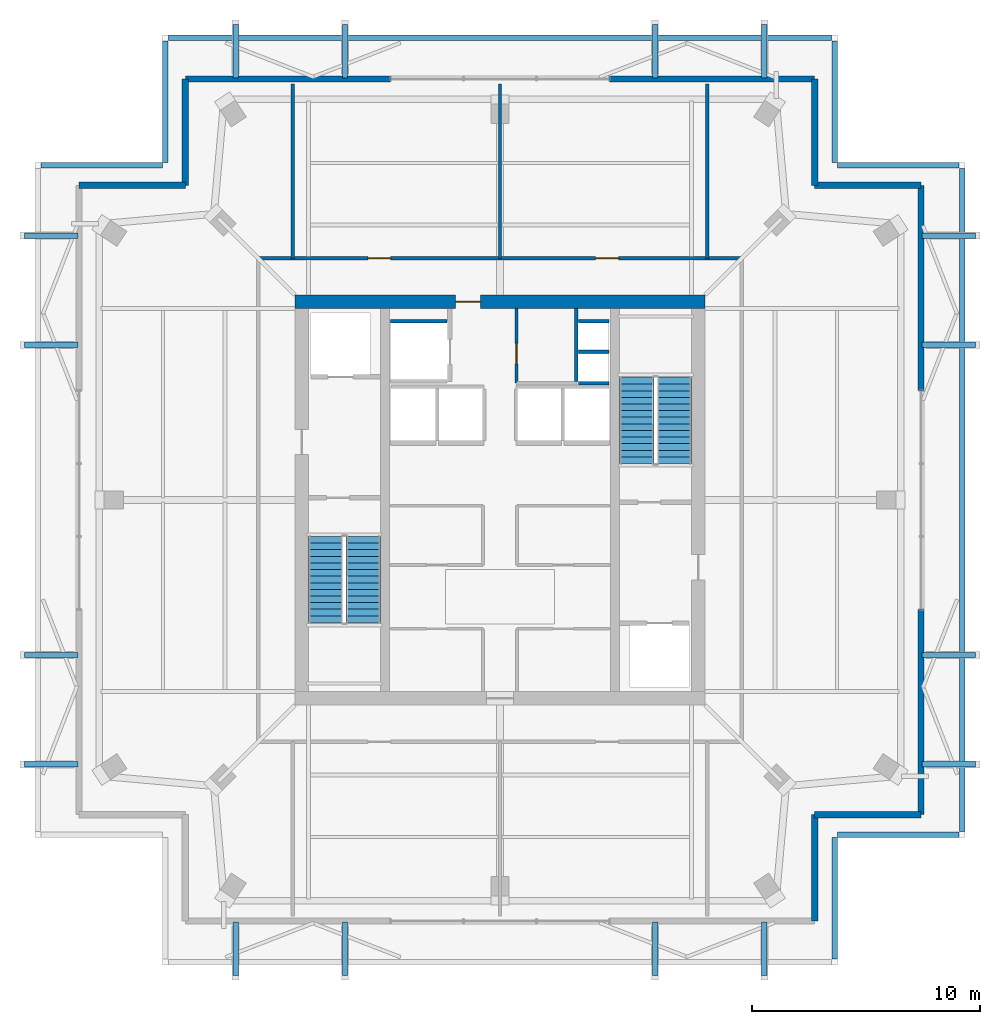
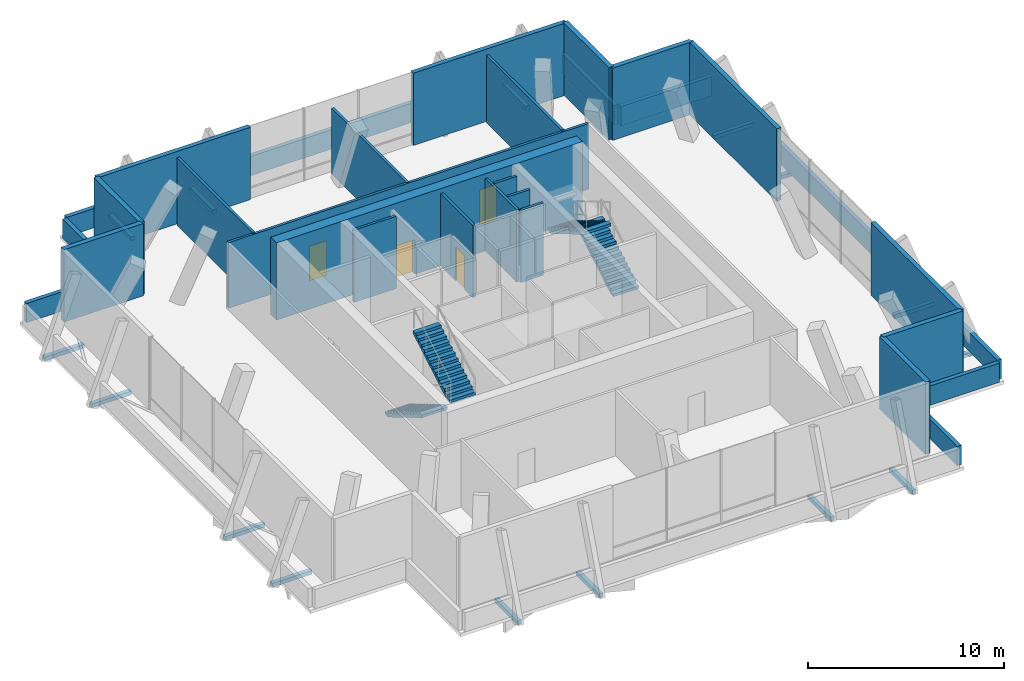
# One storey, part 17 of 18: 29 walls, 16 discrete accessories, 4 doors, 4 stair flights, 4 openings, 2 elements without a shape of their own.
"""IFC4 building model written with IfcOpenShell, lengths in metres."""

from ifc_helpers import new_model, si_unit, direction, frame, frame_2d, origin, origin_2d, place, context, subcontext, project, spatial, polyline, rectangle, outline, extrude, material, layer, layer_set, type_object, element, fill, aggregate, save


model = new_model("IFC4")

# Units and contexts
model_context = context("Model", 3, precision=1e-05, world=origin(), true_north=direction((0.0, 1.0)))
body_context = subcontext(model_context, "Body", "Model", "MODEL_VIEW")
ifc_project = project(units=[si_unit("LENGTHUNIT", "METRE"), si_unit("AREAUNIT", "SQUARE_METRE"), si_unit("VOLUMEUNIT", "CUBIC_METRE"), si_unit("PLANEANGLEUNIT", "RADIAN"), si_unit("MASSUNIT", "GRAM", prefix="KILO")], contexts=[model_context])

# Site, building, storey
site_placement = place(None, origin())
site = spatial("IfcSite", under=ifc_project, at=site_placement, CompositionType="ELEMENT")
building_placement = place(site_placement, origin())
building = spatial("IfcBuilding", under=site, at=building_placement, Name="Belovzor Exchange Tower", CompositionType="ELEMENT")
storey_placement = place(building_placement, frame((0.0, 0.0, 369.0)))
storey = spatial("IfcBuildingStorey", under=building, at=storey_placement, Name="L92", CompositionType="ELEMENT", Elevation=369.0)

# Wall, opening, door
ifc_material_1 = material(Name="Fire-Rated Gypsum Block and Mineral Wool", Category="gypsum")
ifc_layer_1 = layer(ifc_material_1, 0.14990234375)
ifc_layer_set_1 = layer_set([ifc_layer_1], Name="Fire-Rated Gypsum Block and Mineral Wool")
wall_type_1 = type_object("IfcWallType", Name="Fire-Rated Gypsum Block Corridor Wall 150", PredefinedType="PARTITIONING", material=ifc_layer_set_1)
wall_1_placement = place(storey_placement, frame((29.52490234375, 33.925048828125, 0.0), z_axis=(0.0, 0.0, 1.0), x_axis=(0.0, 1.0, 0.0)))
wall_1 = element("IfcWall", 1, at=wall_1_placement, inside=storey, type_object=wall_type_1, Name="W-P150 Partition Wall W-CRV-L92-W", PredefinedType="PARTITIONING", context=body_context, shape_type="SweptSolid", body=[
    extrude(rectangle(XDim=3.27490234375, YDim=0.14990234375, at=frame_2d((1.637451171875, 0.0))), origin(), (0.0, 0.0, 1.0), 4.5),
])
opening_1_placement = place(wall_1_placement, frame((0.85009765625, 0.0, 0.0)))
opening_1 = element("IfcOpeningElement", 2, at=opening_1_placement, cuts=wall_1, Name="Opening D-FD60-090", PredefinedType="OPENING", context=body_context, shape_type="SweptSolid", body=[
    extrude(rectangle(XDim=0.89990234375, YDim=2.10009765625, at=frame_2d((0.449951171875, 1.050048828125))), frame((0.0, 0.0849609375, 0.0), z_axis=(0.0, -1.0, 0.0), x_axis=(1.0, 0.0, 0.0)), (0.0, 0.0, 1.0), 0.169921875),
])
ifc_material_2 = material(Name="Acoustic Timber Fire Leaf", Category="wood")
door_type_1 = type_object("IfcDoorType", Name="Core Service & Restroom Fire Door 900x2100", OperationType="NOTDEFINED", PredefinedType="DOOR", material=ifc_material_2)
door_1_placement = place(opening_1_placement, origin())
door_1 = element("IfcDoor", 3, at=door_1_placement, inside=storey, type_object=door_type_1, Name="D-FD60-090 Core Service & Restroom Fire Door 900x2100", OperationType="SINGLE_SWING_LEFT", OverallHeight=2.10009765625, OverallWidth=0.89990234375, PredefinedType="DOOR", context=body_context, shape_type="SweptSolid", body=[
    extrude(rectangle(XDim=0.89990234375, YDim=2.10009765625, at=frame_2d((0.449951171875, 1.050048828125))), frame((0.0, 0.02490234375, 0.0), z_axis=(0.0, -1.0, 0.0), x_axis=(1.0, 0.0, 0.0)), (0.0, 0.0, 1.0), 0.050048828125),
])
fill(opening_1, door_1)

# Wall, openings, doors
wall_2_placement = place(storey_placement, frame((18.199951171875, 39.39990234375, 0.0), z_axis=(0.0, 0.0, 1.0), x_axis=(1.0, 0.0, 0.0)))
wall_2 = element("IfcWall", 4, at=wall_2_placement, inside=storey, type_object=wall_type_1, Name="W-P150 Partition Wall W-L92-PCN", PredefinedType="PARTITIONING", context=body_context, shape_type="SweptSolid", body=[
    extrude(rectangle(XDim=21.199951171875, YDim=0.14990234375, at=frame_2d((10.60009765625, 0.0))), origin(), (0.0, 0.0, 1.0), 4.0849609375),
])
opening_2_placement = place(wall_2_placement, frame((4.800048828125, 0.0, 0.0)))
opening_2 = element("IfcOpeningElement", 5, at=opening_2_placement, cuts=wall_2, Name="Opening D-FD90-105", PredefinedType="OPENING", context=body_context, shape_type="SweptSolid", body=[
    extrude(rectangle(XDim=1.0, YDim=2.14990234375, at=frame_2d((0.5, 1.074951171875))), frame((0.0, 0.0849609375, 0.0), z_axis=(0.0, -1.0, 0.0), x_axis=(1.0, 0.0, 0.0)), (0.0, 0.0, 1.0), 0.169921875),
])
opening_3_placement = place(wall_2_placement, frame((14.800048828125, 0.0, 0.0)))
opening_3 = element("IfcOpeningElement", 6, at=opening_3_placement, cuts=wall_2, Name="Opening D-FD90-105", PredefinedType="OPENING", context=body_context, shape_type="SweptSolid", body=[
    extrude(rectangle(XDim=1.0, YDim=2.14990234375, at=frame_2d((0.5, 1.074951171875))), frame((0.0, 0.0849609375, 0.0), z_axis=(0.0, -1.0, 0.0), x_axis=(1.0, 0.0, 0.0)), (0.0, 0.0, 1.0), 0.169921875),
])
ifc_material_3 = material(Name="Fire-Rated Galvanised Steel Leaf", Category="steel")
door_type_2 = type_object("IfcDoorType", Name="Core North Foyer Fire Door 1000x2150", OperationType="NOTDEFINED", PredefinedType="DOOR", material=ifc_material_3)
door_2_placement = place(opening_2_placement, origin())
door_2 = element("IfcDoor", 7, at=door_2_placement, inside=storey, type_object=door_type_2, Name="D-FD90-105 Core North Foyer Fire Door 1000x2150", OperationType="SINGLE_SWING_LEFT", OverallHeight=2.14990234375, OverallWidth=1.0, PredefinedType="DOOR", context=body_context, shape_type="SweptSolid", body=[
    extrude(rectangle(XDim=1.0, YDim=2.14990234375, at=frame_2d((0.5, 1.074951171875))), frame((0.0, 0.02490234375, 0.0), z_axis=(0.0, -1.0, 0.0), x_axis=(1.0, 0.0, 0.0)), (0.0, 0.0, 1.0), 0.050048828125),
])
fill(opening_2, door_2)
door_3_placement = place(opening_3_placement, origin())
door_3 = element("IfcDoor", 8, at=door_3_placement, inside=storey, type_object=door_type_2, Name="D-FD90-105 Core North Foyer Fire Door 1000x2150", OperationType="SINGLE_SWING_RIGHT", OverallHeight=2.14990234375, OverallWidth=1.0, PredefinedType="DOOR", context=body_context, shape_type="SweptSolid", body=[
    extrude(rectangle(XDim=1.0, YDim=2.14990234375, at=frame_2d((0.5, 1.074951171875))), frame((0.0, 0.02490234375, 0.0), z_axis=(0.0, -1.0, 0.0), x_axis=(1.0, 0.0, 0.0)), (0.0, 0.0, 1.0), 0.050048828125),
])
fill(opening_3, door_3)

# Walls
wall_3_placement = place(storey_placement, frame((19.699951171875, 39.39990234375, 0.0), z_axis=(0.0, 0.0, 1.0), x_axis=(0.0, 1.0, 0.0)))
element("IfcWall", 9, at=wall_3_placement, inside=storey, type_object=wall_type_1, Name="W-P150 Partition Wall W-L92-Q3W", PredefinedType="PARTITIONING", context=body_context, shape_type="SweptSolid", body=[
    extrude(rectangle(XDim=7.650146484375, YDim=0.14990234375, at=frame_2d((3.8251953125, 0.0))), origin(), (0.0, 0.0, 1.0), 4.18505859375),
])
wall_4_placement = place(storey_placement, frame((28.800048828125, 39.39990234375, 0.0), z_axis=(0.0, 0.0, 1.0), x_axis=(0.0, 1.0, 0.0)))
element("IfcWall", 10, at=wall_4_placement, inside=storey, type_object=wall_type_1, Name="W-P150 Partition Wall W-L92-Q3M", PredefinedType="PARTITIONING", context=body_context, shape_type="SweptSolid", body=[
    extrude(rectangle(XDim=7.650146484375, YDim=0.14990234375, at=frame_2d((3.8251953125, 0.0))), origin(), (0.0, 0.0, 1.0), 4.0849609375),
])
wall_5_placement = place(storey_placement, frame((37.89990234375, 39.39990234375, 0.0), z_axis=(0.0, 0.0, 1.0), x_axis=(0.0, 1.0, 0.0)))
element("IfcWall", 11, at=wall_5_placement, inside=storey, type_object=wall_type_1, Name="W-P150 Partition Wall W-L92-Q4E", PredefinedType="PARTITIONING", context=body_context, shape_type="SweptSolid", body=[
    extrude(rectangle(XDim=7.650146484375, YDim=0.14990234375, at=frame_2d((3.8251953125, 0.0))), origin(), (0.0, 0.0, 1.0), 4.18505859375),
])
ifc_material_4 = material(Name="Precast concrete C40/50", Category="concrete")
ifc_layer_2 = layer(ifc_material_4, 0.280029296875)
ifc_layer_set_2 = layer_set([ifc_layer_2], Name="Precast concrete C40/50")
wall_type_2 = type_object("IfcWallType", Name="Precast Concrete Notched Corner Frame Wall 280", PredefinedType="SOLIDWALL", material=ifc_layer_set_2)
for number, where, z_axis, x_axis, name in (
    (12, (10.330078125, 42.60009765625, 0.0), (0.0, 0.0, 1.0), (1.0, 0.0, 0.0), "W-CRN280 Precast Concrete Notched Corner Frame Wall 280 L92"),
    (13, (15.0, 42.60009765625, 0.0), (0.0, 0.0, 1.0), (0.0, 1.0, 0.0), "W-CRN280 Precast Concrete Notched Corner Frame Wall 280 L92"),
    (14, (42.60009765625, 47.27001953125, 0.0), (0.0, 0.0, 1.0), (0.0, -1.0, 0.0), "W-CRN280 Precast Concrete Notched Corner Frame Wall 280 L92"),
    (15, (42.60009765625, 42.60009765625, 0.0), (0.0, 0.0, 1.0), (1.0, 0.0, 0.0), "W-CRN280 Precast Concrete Notched Corner Frame Wall 280 L92"),
    (16, (47.27001953125, 15.0, 0.0), (0.0, 0.0, 1.0), (-1.0, 0.0, 0.0), "W-CRN280 Precast Concrete Notched Corner Frame Wall 280 L92"),
    (17, (42.60009765625, 15.0, 0.0), (0.0, 0.0, 1.0), (0.0, -1.0, 0.0), "W-CRN280 Precast Concrete Notched Corner Frame Wall 280 L92"),
):
    element("IfcWall", number, at=place(storey_placement, frame(where, z_axis=z_axis, x_axis=x_axis)), inside=storey, type_object=wall_type_2, Name=name, PredefinedType="SOLIDWALL", context=body_context, shape_type="SweptSolid", body=[
        extrude(rectangle(XDim=4.669921875, YDim=0.280029296875, at=frame_2d((2.3349609375, 0.0))), origin(), (0.0, 0.0, 1.0), 4.5),
    ])
ifc_material_5 = material(Name="Precast concrete C40/50", Category="concrete")
ifc_layer_3 = layer(ifc_material_5, 0.260009765625)
ifc_layer_set_3 = layer_set([ifc_layer_3], Name="Precast concrete C40/50")
wall_type_3 = type_object("IfcWallType", Name="Precast Concrete Perimeter Loggia Frame Wall 260", PredefinedType="SOLIDWALL", material=ifc_layer_set_3)
for number, where, z_axis, x_axis, name in (
    (18, (15.0, 47.27001953125, 0.0), (0.0, 0.0, 1.0), (1.0, 0.0, 0.0), "W-EXT260 Precast Concrete Perimeter Loggia Frame Wall 260 L92"),
    (19, (33.60009765625, 47.27001953125, 0.0), (0.0, 0.0, 1.0), (1.0, 0.0, 0.0), "W-EXT260 Precast Concrete Perimeter Loggia Frame Wall 260 L92"),
    (20, (47.27001953125, 42.60009765625, 0.0), (0.0, 0.0, 1.0), (0.0, -1.0, 0.0), "W-EXT260 Precast Concrete Perimeter Loggia Frame Wall 260 L92"),
    (21, (47.27001953125, 24.0, 0.0), (0.0, 0.0, 1.0), (0.0, -1.0, 0.0), "W-EXT260 Precast Concrete Perimeter Loggia Frame Wall 260 L92"),
):
    element("IfcWall", number, at=place(storey_placement, frame(where, z_axis=z_axis, x_axis=x_axis)), inside=storey, type_object=wall_type_3, Name=name, PredefinedType="SOLIDWALL", context=body_context, shape_type="SweptSolid", body=[
        extrude(rectangle(XDim=9.0, YDim=0.260009765625, at=frame_2d((4.5, 0.0))), origin(), (0.0, 0.0, 1.0), 4.5),
    ])
ifc_material_6 = material(Name="Precast concrete C40/50", Category="concrete")
ifc_layer_4 = layer(ifc_material_6, 0.239990234375)
ifc_layer_set_4 = layer_set([ifc_layer_4], Name="Precast concrete C40/50")
wall_type_4 = type_object("IfcWallType", Name="Precast Stone Setback Roof Parapet Wall 240", PredefinedType="PARAPET", material=ifc_layer_set_4)
for number, where, z_axis, x_axis, name in (
    (22, (43.47998046875, 8.655029296875, 0.0), (0.0, 0.0, 1.0), (0.0, 1.0, 0.0), "W-PAR240 Precast Stone Setback Roof Parapet Wall 240 L92"),
    (23, (43.614990234375, 14.1201171875, 0.0), (0.0, 0.0, 1.0), (1.0, 0.0, 0.0), "W-PAR240 Precast Stone Setback Roof Parapet Wall 240 L92"),
):
    element("IfcWall", number, at=place(storey_placement, frame(where, z_axis=z_axis, x_axis=x_axis)), inside=storey, type_object=wall_type_4, Name=name, PredefinedType="PARAPET", context=body_context, shape_type="SweptSolid", body=[
        extrude(rectangle(XDim=5.330078125, YDim=0.239990234375, at=frame_2d((2.6650390625, 0.0))), origin(), (0.0, 0.0, 1.0), 1.199951171875),
    ])
wall_6_placement = place(storey_placement, frame((49.080078125, 14.2548828125, 0.0), z_axis=(0.0, 0.0, 1.0), x_axis=(0.0, 1.0, 0.0)))
element("IfcWall", 24, at=wall_6_placement, inside=storey, type_object=wall_type_4, Name="W-PAR240 Precast Stone Setback Roof Parapet Wall 240 L92", PredefinedType="PARAPET", context=body_context, shape_type="SweptSolid", body=[
    extrude(rectangle(XDim=29.090087890625, YDim=0.239990234375, at=frame_2d((14.544921875, 0.0))), origin(), (0.0, 0.0, 1.0), 1.199951171875),
])
for number, where, z_axis, x_axis, name in (
    (25, (48.945068359375, 43.47998046875, 0.0), (0.0, 0.0, 1.0), (-1.0, 0.0, 0.0), "W-PAR240 Precast Stone Setback Roof Parapet Wall 240 L92"),
    (26, (43.47998046875, 43.614990234375, 0.0), (0.0, 0.0, 1.0), (0.0, 1.0, 0.0), "W-PAR240 Precast Stone Setback Roof Parapet Wall 240 L92"),
):
    element("IfcWall", number, at=place(storey_placement, frame(where, z_axis=z_axis, x_axis=x_axis)), inside=storey, type_object=wall_type_4, Name=name, PredefinedType="PARAPET", context=body_context, shape_type="SweptSolid", body=[
        extrude(rectangle(XDim=5.330078125, YDim=0.239990234375, at=frame_2d((2.6650390625, 0.0))), origin(), (0.0, 0.0, 1.0), 1.199951171875),
    ])
wall_7_placement = place(storey_placement, frame((43.344970703125, 49.080078125, 0.0), z_axis=(0.0, 0.0, 1.0), x_axis=(-1.0, 0.0, 0.0)))
element("IfcWall", 27, at=wall_7_placement, inside=storey, type_object=wall_type_4, Name="W-PAR240 Precast Stone Setback Roof Parapet Wall 240 L92", PredefinedType="PARAPET", context=body_context, shape_type="SweptSolid", body=[
    extrude(rectangle(XDim=29.090087890625, YDim=0.239990234375, at=frame_2d((14.544921875, 0.0))), origin(), (0.0, 0.0, 1.0), 1.199951171875),
])
for number, where, z_axis, x_axis, name in (
    (28, (14.1201171875, 48.945068359375, 0.0), (0.0, 0.0, 1.0), (0.0, -1.0, 0.0), "W-PAR240 Precast Stone Setback Roof Parapet Wall 240 L92"),
    (29, (13.985107421875, 43.47998046875, 0.0), (0.0, 0.0, 1.0), (-1.0, 0.0, 0.0), "W-PAR240 Precast Stone Setback Roof Parapet Wall 240 L92"),
):
    element("IfcWall", number, at=place(storey_placement, frame(where, z_axis=z_axis, x_axis=x_axis)), inside=storey, type_object=wall_type_4, Name=name, PredefinedType="PARAPET", context=body_context, shape_type="SweptSolid", body=[
        extrude(rectangle(XDim=5.330078125, YDim=0.239990234375, at=frame_2d((2.6650390625, 0.0))), origin(), (0.0, 0.0, 1.0), 1.199951171875),
    ])
ifc_material_7 = material(Name="Concrete C50/60", Category="concrete")
ifc_layer_5 = layer(ifc_material_7, 0.14990234375)
ifc_layer_set_5 = layer_set([ifc_layer_5], Name="Concrete C50/60")
wall_type_5 = type_object("IfcWallType", Name="Reinforced Concrete Core Riser Shear Wall 150", PredefinedType="SHEAR", material=ifc_layer_set_5)
wall_8_placement = place(storey_placement, frame((32.14990234375, 34.0, 0.0), z_axis=(0.0, 0.0, 1.0), x_axis=(0.0, 1.0, 0.0)))
element("IfcWall", 30, at=wall_8_placement, inside=storey, type_object=wall_type_5, Name="W-C150S Core Shaft Wall W-RSR-L92-E", PredefinedType="SHEAR", context=body_context, shape_type="SweptSolid", body=[
    extrude(rectangle(XDim=3.199951171875, YDim=0.14990234375, at=frame_2d((1.60009765625, 0.0))), origin(), (0.0, 0.0, 1.0), 4.5),
])
for number, where, z_axis, x_axis, name in (
    (31, (32.25, 33.925048828125, 0.0), (0.0, 0.0, 1.0), (1.0, 0.0, 0.0), "W-C150S Core Shaft Wall W-RSR-L92-S"),
    (32, (32.25, 35.300048828125, 0.0), (0.0, 0.0, 1.0), (1.0, 0.0, 0.0), "W-C150S Core Shaft Wall W-RSR-L92-M"),
):
    element("IfcWall", number, at=place(storey_placement, frame(where, z_axis=z_axis, x_axis=x_axis)), inside=storey, type_object=wall_type_5, Name=name, PredefinedType="SHEAR", context=body_context, shape_type="SweptSolid", body=[
        extrude(rectangle(XDim=1.330078125, YDim=0.14990234375, at=frame_2d((0.6650390625, 0.0))), origin(), (0.0, 0.0, 1.0), 4.5),
    ])
wall_9_placement = place(storey_placement, frame((24.0, 36.64990234375, 0.0), z_axis=(0.0, 0.0, 1.0), x_axis=(1.0, 0.0, 0.0)))
element("IfcWall", 33, at=wall_9_placement, inside=storey, type_object=wall_type_5, Name="W-C150S Core Shaft Wall W-SH-L92-SL-01N", PredefinedType="SHEAR", context=body_context, shape_type="SweptSolid", body=[
    extrude(rectangle(XDim=2.47998046875, YDim=0.14990234375, at=frame_2d((1.239990234375, 0.0))), origin(), (0.0, 0.0, 1.0), 4.5),
])
wall_10_placement = place(storey_placement, frame((32.25, 36.64990234375, 0.0), z_axis=(0.0, 0.0, 1.0), x_axis=(1.0, 0.0, 0.0)))
element("IfcWall", 34, at=wall_10_placement, inside=storey, type_object=wall_type_5, Name="W-C150S Core Shaft Wall W-RSR-L92-N", PredefinedType="SHEAR", context=body_context, shape_type="SweptSolid", body=[
    extrude(rectangle(XDim=1.330078125, YDim=0.14990234375, at=frame_2d((0.6650390625, 0.0))), origin(), (0.0, 0.0, 1.0), 4.5),
])

# Wall, opening, door
ifc_material_8 = material(Name="Concrete C50/60", Category="concrete")
ifc_layer_6 = layer(ifc_material_8, 0.60009765625)
ifc_layer_set_6 = layer_set([ifc_layer_6], Name="Concrete C50/60")
wall_type_6 = type_object("IfcWallType", Name="Reinforced Concrete Core Shear Wall 600", PredefinedType="SHEAR", material=ifc_layer_set_6)
wall_11_placement = place(storey_placement, frame((19.800048828125, 37.5, 0.0), z_axis=(0.0, 0.0, 1.0), x_axis=(1.0, 0.0, 0.0)))
wall_11 = element("IfcWall", 35, at=wall_11_placement, inside=storey, type_object=wall_type_6, Name="CW-S060 Core Shear Wall L92 N", PredefinedType="SHEAR", context=body_context, shape_type="SweptSolid", body=[
    extrude(rectangle(XDim=18.0, YDim=0.60009765625, at=frame_2d((9.0, 0.0))), origin(), (0.0, 0.0, 1.0), 4.800048828125),
])
opening_4_placement = place(wall_11_placement, frame((7.050048828125, 0.0, 0.0)))
opening_4 = element("IfcOpeningElement", 36, at=opening_4_placement, cuts=wall_11, Name="Opening D-FD90-110", PredefinedType="OPENING", context=body_context, shape_type="SweptSolid", body=[
    extrude(rectangle(XDim=1.10009765625, YDim=2.14990234375, at=frame_2d((0.550048828125, 1.074951171875))), frame((0.0, 0.31005859375, 0.0), z_axis=(0.0, -1.0, 0.0), x_axis=(1.0, 0.0, 0.0)), (0.0, 0.0, 1.0), 0.6201171875),
])
ifc_material_9 = material(Name="Fire-Rated Galvanised Steel Leaf", Category="steel")
door_type_3 = type_object("IfcDoorType", Name="Protected Escape Vestibule Fire Door 1100x2150", OperationType="NOTDEFINED", PredefinedType="DOOR", material=ifc_material_9)
door_4_placement = place(opening_4_placement, origin())
door_4 = element("IfcDoor", 37, at=door_4_placement, inside=storey, type_object=door_type_3, Name="D-FD90-110 Protected Escape Vestibule Fire Door 1100x2150", OperationType="SINGLE_SWING_RIGHT", OverallHeight=2.14990234375, OverallWidth=1.10009765625, PredefinedType="DOOR", context=body_context, shape_type="SweptSolid", body=[
    extrude(rectangle(XDim=1.10009765625, YDim=2.14990234375, at=frame_2d((0.550048828125, 1.074951171875))), frame((0.0, 0.02490234375, 0.0), z_axis=(0.0, -1.0, 0.0), x_axis=(1.0, 0.0, 0.0)), (0.0, 0.0, 1.0), 0.050048828125),
])
fill(opening_4, door_4)

# Stair, stair flights
ifc_material_10 = material(Name="Concrete C40/50", Category="concrete")
stair_type = type_object("IfcStairType", Name="Reinforced Concrete Dogleg Escape Stair 1350", PredefinedType="HALF_TURN_STAIR", material=ifc_material_10)
stair_1_placement = place(storey_placement, origin())
stair_1 = element("IfcStair", 38, at=stair_1_placement, inside=storey, type_object=stair_type, Name="L92 ST-1", PredefinedType="HALF_TURN_STAIR")
ifc_material_11 = material(Name="Concrete C40/50", Category="concrete")
stair_flight_type = type_object("IfcStairFlightType", Name="Reinforced Concrete Stair Flight 1350", PredefinedType="STRAIGHT", material=ifc_material_11)
stair_flight_1_placement = place(storey_placement, frame((21.14990234375, 27.199951171875, 0.0), z_axis=(0.0, 0.0, 1.0), x_axis=(0.0, -1.0, 0.0)))
stair_flight_1 = element("IfcStairFlight", 39, at=stair_flight_1_placement, type_object=stair_flight_type, Name="ST-1 flight 1", NumberOfRisers=14, NumberOfTreads=13, PredefinedType="STRAIGHT", RiserHeight=0.171428571, TreadLength=0.29, context=body_context, shape_type="SweptSolid", body=[
    extrude(outline(polyline([(0.0, 0.0), (0.0, 0.17138671875), (0.2900390625, 0.17138671875), (0.2900390625, 0.3427734375), (0.580078125, 0.3427734375), (0.580078125, 0.514404296875), (0.8701171875, 0.514404296875), (0.8701171875, 0.685791015625), (1.159912109375, 0.685791015625), (1.159912109375, 0.857177734375), (1.449951171875, 0.857177734375), (1.449951171875, 1.028564453125), (1.739990234375, 1.028564453125), (1.739990234375, 1.199951171875), (2.030029296875, 1.199951171875), (2.030029296875, 1.371337890625), (2.320068359375, 1.371337890625), (2.320068359375, 1.54296875), (2.610107421875, 1.54296875), (2.610107421875, 1.71435546875), (2.89990234375, 1.71435546875), (2.89990234375, 1.8857421875), (3.18994140625, 1.8857421875), (3.18994140625, 2.05712890625), (3.47998046875, 2.05712890625), (3.47998046875, 2.228515625), (3.77001953125, 2.228515625), (3.77001953125, 2.39990234375), (3.77001953125, 2.054443359375), (0.294677734375, 0.0), (0.0, 0.0)])), frame((0.0, 0.75, 0.0), z_axis=(0.0, -1.0, 0.0), x_axis=(1.0, 0.0, 0.0)), (0.0, 0.0, 1.0), 1.5),
])
stair_flight_2_placement = place(storey_placement, frame((22.800048828125, 23.429931640625, 2.39990234375), z_axis=(0.0, 0.0, 1.0), x_axis=(0.0, 1.0, 0.0)))
stair_flight_2 = element("IfcStairFlight", 40, at=stair_flight_2_placement, type_object=stair_flight_type, Name="ST-1 flight 2", NumberOfRisers=14, NumberOfTreads=13, PredefinedType="STRAIGHT", RiserHeight=0.171428571, TreadLength=0.29, context=body_context, shape_type="SweptSolid", body=[
    extrude(outline(polyline([(0.0, 0.0), (0.0, 0.17138671875), (0.2900390625, 0.17138671875), (0.2900390625, 0.3427734375), (0.580078125, 0.3427734375), (0.580078125, 0.514404296875), (0.8701171875, 0.514404296875), (0.8701171875, 0.685791015625), (1.159912109375, 0.685791015625), (1.159912109375, 0.857177734375), (1.449951171875, 0.857177734375), (1.449951171875, 1.028564453125), (1.739990234375, 1.028564453125), (1.739990234375, 1.199951171875), (2.030029296875, 1.199951171875), (2.030029296875, 1.371337890625), (2.320068359375, 1.371337890625), (2.320068359375, 1.54296875), (2.610107421875, 1.54296875), (2.610107421875, 1.71435546875), (2.89990234375, 1.71435546875), (2.89990234375, 1.8857421875), (3.18994140625, 1.8857421875), (3.18994140625, 2.05712890625), (3.47998046875, 2.05712890625), (3.47998046875, 2.228515625), (3.77001953125, 2.228515625), (3.77001953125, 2.39990234375), (3.77001953125, 2.054443359375), (0.294677734375, 0.0), (0.0, 0.0)])), frame((0.0, 0.75, 0.0), z_axis=(0.0, -1.0, 0.0), x_axis=(1.0, 0.0, 0.0)), (0.0, 0.0, 1.0), 1.5),
])
aggregate(stair_1, [stair_flight_1, stair_flight_2])

stair_2_placement = place(storey_placement, origin())
stair_2 = element("IfcStair", 41, at=stair_2_placement, inside=storey, type_object=stair_type, Name="L92 ST-2", PredefinedType="HALF_TURN_STAIR")
stair_flight_3_placement = place(storey_placement, frame((36.449951171875, 30.39990234375, 0.0), z_axis=(0.0, 0.0, 1.0), x_axis=(0.0, 1.0, 0.0)))
stair_flight_3 = element("IfcStairFlight", 42, at=stair_flight_3_placement, type_object=stair_flight_type, Name="ST-2 flight 1", NumberOfRisers=14, NumberOfTreads=13, PredefinedType="STRAIGHT", RiserHeight=0.171428571, TreadLength=0.29, context=body_context, shape_type="SweptSolid", body=[
    extrude(outline(polyline([(0.0, 0.0), (0.0, 0.17138671875), (0.2900390625, 0.17138671875), (0.2900390625, 0.3427734375), (0.580078125, 0.3427734375), (0.580078125, 0.514404296875), (0.8701171875, 0.514404296875), (0.8701171875, 0.685791015625), (1.159912109375, 0.685791015625), (1.159912109375, 0.857177734375), (1.449951171875, 0.857177734375), (1.449951171875, 1.028564453125), (1.739990234375, 1.028564453125), (1.739990234375, 1.199951171875), (2.030029296875, 1.199951171875), (2.030029296875, 1.371337890625), (2.320068359375, 1.371337890625), (2.320068359375, 1.54296875), (2.610107421875, 1.54296875), (2.610107421875, 1.71435546875), (2.89990234375, 1.71435546875), (2.89990234375, 1.8857421875), (3.18994140625, 1.8857421875), (3.18994140625, 2.05712890625), (3.47998046875, 2.05712890625), (3.47998046875, 2.228515625), (3.77001953125, 2.228515625), (3.77001953125, 2.39990234375), (3.77001953125, 2.054443359375), (0.294677734375, 0.0), (0.0, 0.0)])), frame((0.0, 0.75, 0.0), z_axis=(0.0, -1.0, 0.0), x_axis=(1.0, 0.0, 0.0)), (0.0, 0.0, 1.0), 1.5),
])
stair_flight_4_placement = place(storey_placement, frame((34.800048828125, 34.169921875, 2.39990234375), z_axis=(0.0, 0.0, 1.0), x_axis=(0.0, -1.0, 0.0)))
stair_flight_4 = element("IfcStairFlight", 43, at=stair_flight_4_placement, type_object=stair_flight_type, Name="ST-2 flight 2", NumberOfRisers=14, NumberOfTreads=13, PredefinedType="STRAIGHT", RiserHeight=0.171428571, TreadLength=0.29, context=body_context, shape_type="SweptSolid", body=[
    extrude(outline(polyline([(0.0, 0.0), (0.0, 0.17138671875), (0.2900390625, 0.17138671875), (0.2900390625, 0.3427734375), (0.580078125, 0.3427734375), (0.580078125, 0.514404296875), (0.8701171875, 0.514404296875), (0.8701171875, 0.685791015625), (1.159912109375, 0.685791015625), (1.159912109375, 0.857177734375), (1.449951171875, 0.857177734375), (1.449951171875, 1.028564453125), (1.739990234375, 1.028564453125), (1.739990234375, 1.199951171875), (2.030029296875, 1.199951171875), (2.030029296875, 1.371337890625), (2.320068359375, 1.371337890625), (2.320068359375, 1.54296875), (2.610107421875, 1.54296875), (2.610107421875, 1.71435546875), (2.89990234375, 1.71435546875), (2.89990234375, 1.8857421875), (3.18994140625, 1.8857421875), (3.18994140625, 2.05712890625), (3.47998046875, 2.05712890625), (3.47998046875, 2.228515625), (3.77001953125, 2.228515625), (3.77001953125, 2.39990234375), (3.77001953125, 2.054443359375), (0.294677734375, 0.0), (0.0, 0.0)])), frame((0.0, 0.75, 0.0), z_axis=(0.0, -1.0, 0.0), x_axis=(1.0, 0.0, 0.0)), (0.0, 0.0, 1.0), 1.5),
])
aggregate(stair_2, [stair_flight_3, stair_flight_4])

# Discrete accessories
ifc_material_12 = material(Name="Stainless Steel Grade 316", Category="steel")
ifc_layer_7 = layer(ifc_material_12, 0.179931640625)
ifc_layer_set_7 = layer_set([ifc_layer_7], Name="Stainless Steel Grade 316")
discrete_accessory_type = type_object("IfcDiscreteAccessoryType", Name="Stainless Steel Facade Outrigger Fixing Bracket", PredefinedType="BRACKET", material=ifc_layer_set_7)
for number, where, z_axis, x_axis, name in (
    (44, (17.199951171875, 9.113037109375, -0.27001953125), (0.0, 0.0, 1.0), (0.0, 1.0, 0.0), "BRK-FIN1 Sweeping Fin Outrigger Bracket L92 S1"),
    (45, (17.199951171875, 48.487060546875, -0.27001953125), (0.0, 0.0, 1.0), (0.0, 1.0, 0.0), "BRK-FIN1 Sweeping Fin Outrigger Bracket L92 N1"),
    (46, (9.113037109375, 17.199951171875, -0.27001953125), (0.0, 0.0, 1.0), (1.0, 0.0, 0.0), "BRK-FIN1 Sweeping Fin Outrigger Bracket L92 W1"),
    (47, (48.487060546875, 17.199951171875, -0.27001953125), (0.0, 0.0, 1.0), (1.0, 0.0, 0.0), "BRK-FIN1 Sweeping Fin Outrigger Bracket L92 E1"),
    (48, (22.0, 9.113037109375, -0.27001953125), (0.0, 0.0, 1.0), (0.0, 1.0, 0.0), "BRK-FIN1 Sweeping Fin Outrigger Bracket L92 S2"),
    (49, (22.0, 48.487060546875, -0.27001953125), (0.0, 0.0, 1.0), (0.0, 1.0, 0.0), "BRK-FIN1 Sweeping Fin Outrigger Bracket L92 N2"),
    (50, (9.113037109375, 22.0, -0.27001953125), (0.0, 0.0, 1.0), (1.0, 0.0, 0.0), "BRK-FIN1 Sweeping Fin Outrigger Bracket L92 W2"),
    (51, (48.487060546875, 22.0, -0.27001953125), (0.0, 0.0, 1.0), (1.0, 0.0, 0.0), "BRK-FIN1 Sweeping Fin Outrigger Bracket L92 E2"),
    (52, (35.60009765625, 9.113037109375, -0.27001953125), (0.0, 0.0, 1.0), (0.0, 1.0, 0.0), "BRK-FIN1 Sweeping Fin Outrigger Bracket L92 S3"),
    (53, (35.60009765625, 48.487060546875, -0.27001953125), (0.0, 0.0, 1.0), (0.0, 1.0, 0.0), "BRK-FIN1 Sweeping Fin Outrigger Bracket L92 N3"),
    (54, (9.113037109375, 35.60009765625, -0.27001953125), (0.0, 0.0, 1.0), (1.0, 0.0, 0.0), "BRK-FIN1 Sweeping Fin Outrigger Bracket L92 W3"),
    (55, (48.487060546875, 35.60009765625, -0.27001953125), (0.0, 0.0, 1.0), (1.0, 0.0, 0.0), "BRK-FIN1 Sweeping Fin Outrigger Bracket L92 E3"),
    (56, (40.39990234375, 9.113037109375, -0.27001953125), (0.0, 0.0, 1.0), (0.0, 1.0, 0.0), "BRK-FIN1 Sweeping Fin Outrigger Bracket L92 S4"),
    (57, (40.39990234375, 48.487060546875, -0.27001953125), (0.0, 0.0, 1.0), (0.0, 1.0, 0.0), "BRK-FIN1 Sweeping Fin Outrigger Bracket L92 N4"),
    (58, (9.113037109375, 40.39990234375, -0.27001953125), (0.0, 0.0, 1.0), (1.0, 0.0, 0.0), "BRK-FIN1 Sweeping Fin Outrigger Bracket L92 W4"),
    (59, (48.487060546875, 40.39990234375, -0.27001953125), (0.0, 0.0, 1.0), (1.0, 0.0, 0.0), "BRK-FIN1 Sweeping Fin Outrigger Bracket L92 E4"),
):
    element("IfcDiscreteAccessory", number, at=place(storey_placement, frame(where, z_axis=z_axis, x_axis=x_axis)), inside=storey, type_object=discrete_accessory_type, Name=name, PredefinedType="BRACKET", context=body_context, shape_type="SweptSolid", body=[
        extrude(rectangle(XDim=2.3349609375, YDim=0.239990234375, at=origin_2d()), origin(), (0.0, 0.0, 1.0), 0.239990234375),
    ])

save(model, "model.ifc")
